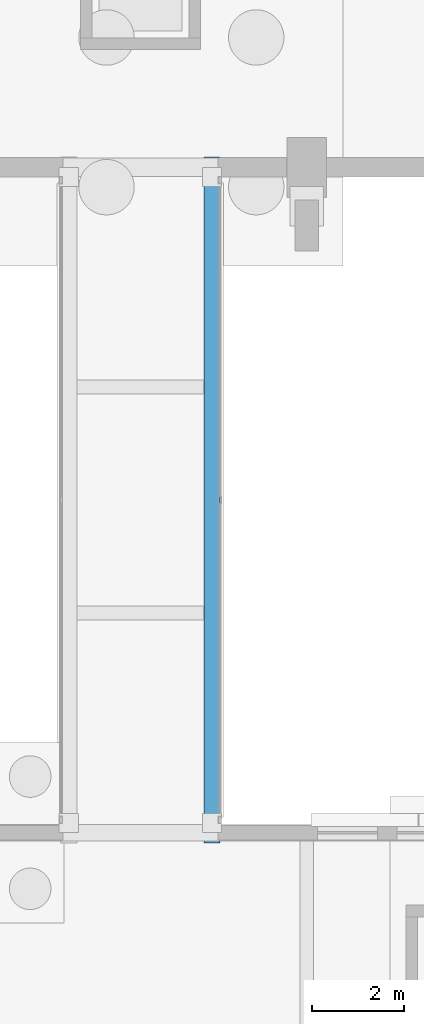
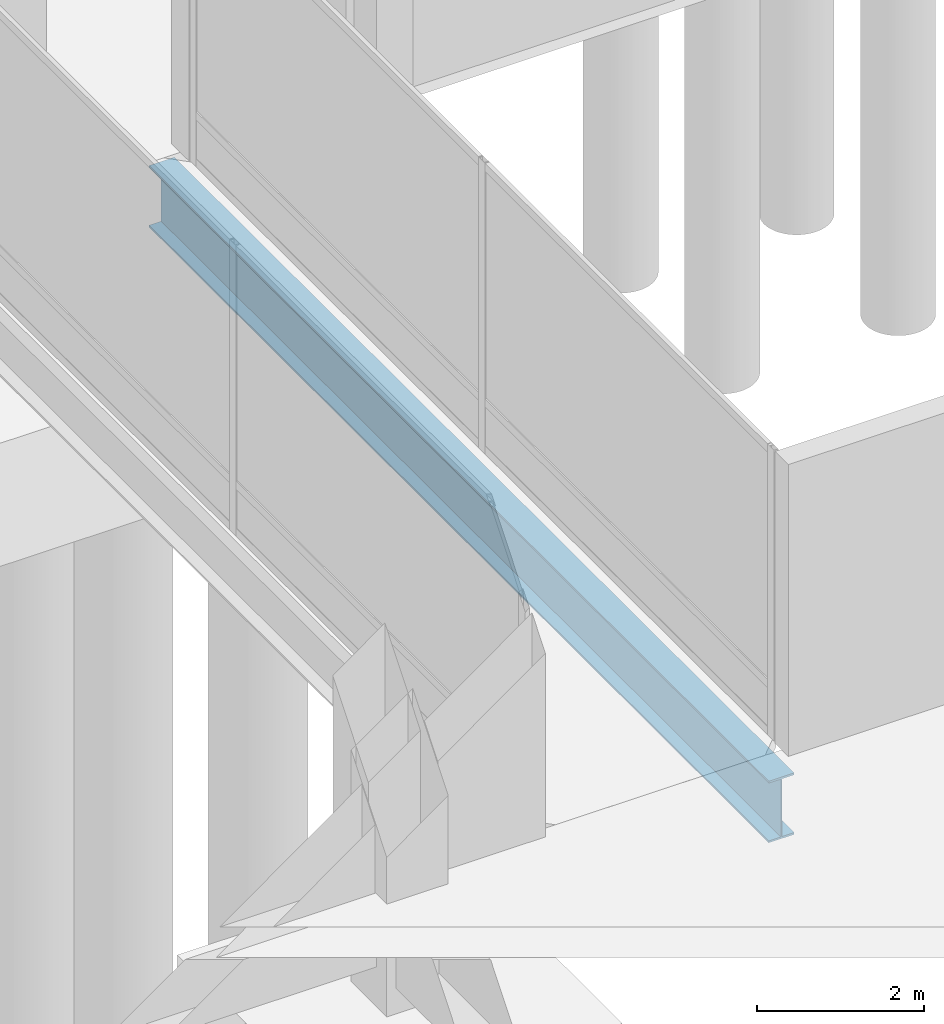
# One storey, part 37 of 192: 1 beam.
"""IFC4 building model written with IfcOpenShell, lengths in metres."""

from ifc_helpers import new_model, si_unit, direction, frame, origin, origin_2d, place, context, subcontext, project, spatial, i_section, extrude, material, material_profile, profile_set, type_object, element, save


model = new_model("IFC4")

# Units and contexts
model_context = context("Model", 3, precision=1e-05, world=origin(), true_north=direction((0.0, 1.0)))
body_context = subcontext(model_context, "Body", "Model", "MODEL_VIEW")
ifc_project = project(units=[si_unit("LENGTHUNIT", "METRE"), si_unit("AREAUNIT", "SQUARE_METRE"), si_unit("VOLUMEUNIT", "CUBIC_METRE"), si_unit("PLANEANGLEUNIT", "RADIAN"), si_unit("MASSUNIT", "GRAM", prefix="KILO")], contexts=[model_context])

# Site, building, storey
site_placement = place(None, origin())
site = spatial("IfcSite", under=ifc_project, at=site_placement, CompositionType="ELEMENT")
building_placement = place(site_placement, origin())
building = spatial("IfcBuilding", under=site, at=building_placement, Name="Cendralis Lancet Convention Centre", CompositionType="ELEMENT")
storey_placement = place(building_placement, origin())
storey = spatial("IfcBuildingStorey", under=building, at=storey_placement, Name="L00", CompositionType="ELEMENT", Elevation=0.0)

# Beam
ifc_material = material(Name="Steel S355", Category="steel")
ifc_material_profile = material_profile(ifc_material, i_section(OverallWidth=0.35009765625, OverallDepth=0.89990234375, WebThickness=0.01611328125, FlangeThickness=0.028076171875, at=origin_2d()), Name="PG 900x350")
ifc_profile_set = profile_set([ifc_material_profile], Name="Steel S355")
beam_type = type_object("IfcBeamType", Name="STR-BM-SG05", PredefinedType="BEAM", material=ifc_profile_set)
beam_placement = place(storey_placement, frame((19.550048828125, 35.780029296875, -0.669921875), z_axis=(0.0, 1.0, 0.0), x_axis=(-1.0, 0.0, 0.0)))
element("IfcBeam", 1, at=beam_placement, inside=storey, type_object=beam_type, Name="L00 Beam SG05 #1917", PredefinedType="BEAM", context=body_context, shape_type="SweptSolid", body=[
    extrude(i_section(OverallWidth=0.35009765625, OverallDepth=0.89990234375, WebThickness=0.01611328125, FlangeThickness=0.028076171875, at=origin_2d()), origin(), (0.0, 0.0, 1.0), 14.840087890625),
])

save(model, "model.ifc")
